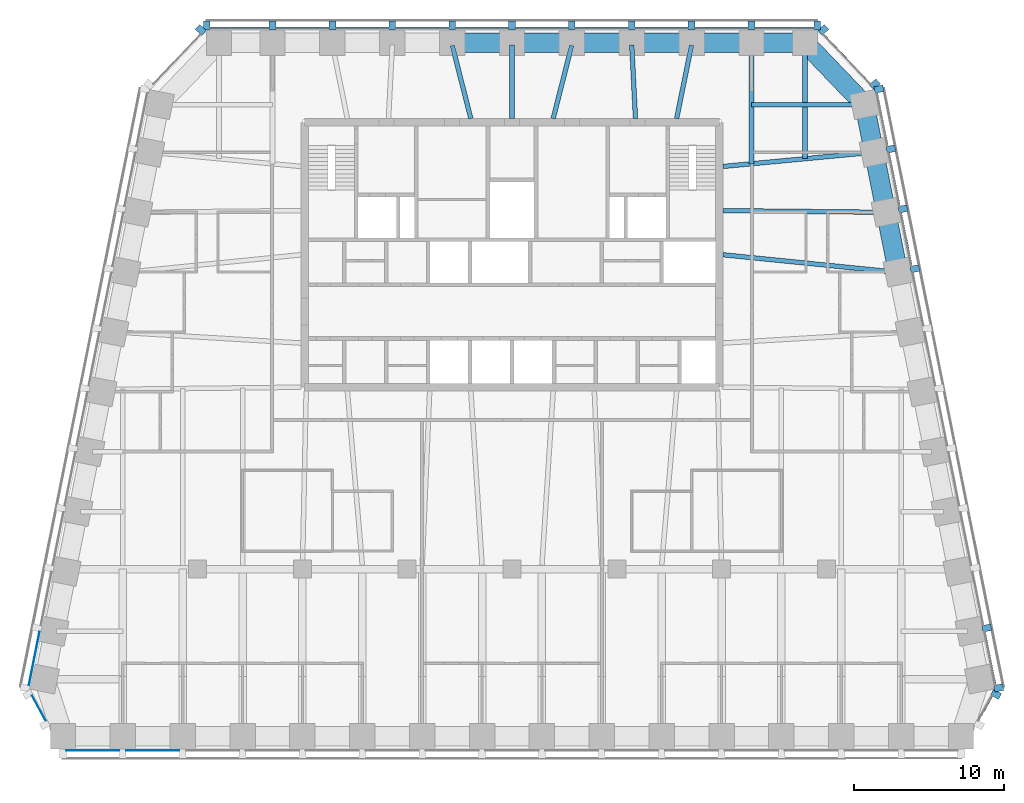
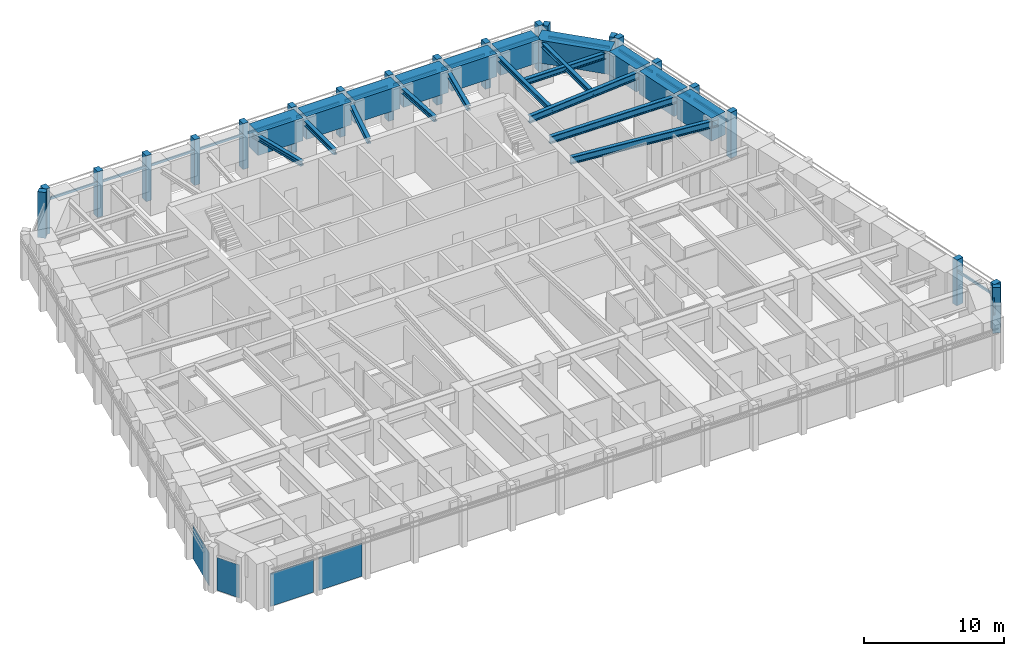
# One storey, part 4 of 12: 37 members, 21 beams, 4 plates, 8 elements without a shape of their own.
"""IFC4 building model written with IfcOpenShell, lengths in metres."""

import ifcopenshell
import ifcopenshell.guid

model = None  # the IFC model being written
_history = None  # IfcOwnerHistory: only IFC2X3 demands one
_inside = {}  # id of a spatial element -> (the spatial element, [elements in it])
_under = {}  # id of a project, library or spatial element -> (it, [spatial elements below it])
_declared = {}  # id of a project -> (the project, [libraries it declares])
_typed = {}  # id of a type object -> (the type object, [elements of that type])
_made_of = {}  # id of a material, layer set ... -> (it, [elements and type objects made of it])


def new_model(schema):
    """Start an empty IFC model of exactly this schema.

    Asked for "IFC4X3", IfcOpenShell would pick the latest addendum, in which some entities
    have other attributes; the version numbers below select the first issue.
    IFC2X3 requires an IfcOwnerHistory on every rooted entity: one is made here for all.
    """
    global model, _history
    if schema == "IFC4X3":
        model = ifcopenshell.file(schema_version=(4, 3, 0, 0))
    else:
        model = ifcopenshell.file(schema=schema)
    _inside.clear()
    _under.clear()
    _declared.clear()
    _typed.clear()
    _made_of.clear()
    _history = None
    if model.schema == "IFC2X3":
        org = make("IfcOrganization", Name="unknown")
        user = make(
            "IfcPersonAndOrganization",
            ThePerson=make("IfcPerson", FamilyName="unknown"),
            TheOrganization=org,
        )
        app = make(
            "IfcApplication",
            ApplicationDeveloper=org,
            Version="unknown",
            ApplicationFullName="unknown",
            ApplicationIdentifier="unknown",
        )
        _history = make(
            "IfcOwnerHistory",
            OwningUser=user,
            OwningApplication=app,
            ChangeAction="ADDED",
            CreationDate=0,
        )
    return model


def make(cls, **values):
    """One entity of the class cls with the attributes given. An attribute that is None is left unset."""
    return model.create_entity(
        cls, **{name: value for name, value in values.items() if value is not None}
    )


def rooted(cls, **values):
    """An entity with a GlobalId (a new one), such as an element, a storey or a relation."""
    return make(cls, GlobalId=ifcopenshell.guid.new(), OwnerHistory=_history, **values)


def si_unit(unit_type, name, prefix=None):
    """IfcSIUnit, for example si_unit("LENGTHUNIT", "METRE", prefix="MILLI")."""
    return make("IfcSIUnit", UnitType=unit_type, Prefix=prefix, Name=name)


def assignment(units):
    """IfcUnitAssignment: the units of a project."""
    return None if units is None else make("IfcUnitAssignment", Units=units)


def point(xyz):
    """IfcCartesianPoint."""
    return None if xyz is None else make("IfcCartesianPoint", Coordinates=xyz)


def direction(xyz):
    """IfcDirection."""
    return None if xyz is None else make("IfcDirection", DirectionRatios=xyz)


def frame(location, z_axis=None, x_axis=None):
    """IfcAxis2Placement3D, a coordinate frame: its origin and axes. An axis left out is left unset."""
    return make(
        "IfcAxis2Placement3D",
        Location=point(location),
        Axis=direction(z_axis),
        RefDirection=direction(x_axis),
    )


def frame_2d(location, x_axis=None):
    """IfcAxis2Placement2D, a coordinate frame in the plane: its origin and x axis."""
    return make(
        "IfcAxis2Placement2D", Location=point(location), RefDirection=direction(x_axis)
    )


def origin():
    """The frame at (0, 0, 0) with its axes left unset."""
    return frame((0.0, 0.0, 0.0))


def origin_2d():
    """The frame at (0, 0) in the plane with its x axis left unset."""
    return frame_2d((0.0, 0.0))


def place(relative_to, where):
    """IfcLocalPlacement: puts the frame where relative to a parent placement (None: the world)."""
    return make(
        "IfcLocalPlacement", PlacementRelTo=relative_to, RelativePlacement=where
    )


def context(
    kind, dimensions, precision=None, world=None, true_north=None, identifier=None
):
    """IfcGeometricRepresentationContext, for example the 3D "Model" context."""
    return make(
        "IfcGeometricRepresentationContext",
        ContextIdentifier=identifier,
        ContextType=kind,
        CoordinateSpaceDimension=dimensions,
        Precision=precision,
        WorldCoordinateSystem=world,
        TrueNorth=true_north,
    )


def subcontext(parent, identifier, kind, view, scale=None):
    """IfcGeometricRepresentationSubContext, for example "Body" below "Model"."""
    return make(
        "IfcGeometricRepresentationSubContext",
        ContextIdentifier=identifier,
        ContextType=kind,
        ParentContext=parent,
        TargetScale=scale,
        TargetView=view,
    )


def project(units=None, contexts=None):
    """IfcProject with its units and contexts."""
    return rooted(
        "IfcProject",
        Name="project",
        RepresentationContexts=contexts,
        UnitsInContext=assignment(units),
    )


def spatial(cls, under=None, at=None, **own):
    """A site, building, storey or space (cls), placed at a placement, below another one or the project."""
    s = rooted(cls, ObjectPlacement=at, **own)
    if under is not None:
        _under.setdefault(under.id(), (under, []))[1].append(s)
    return s


def profile(cls, at=None, kind="AREA", **sizes):
    """A parametric profile (cls). Its sizes go by their IFC names, for example OverallWidth=200.0."""
    return make(cls, ProfileType=kind, Position=at, **sizes)


def rectangle(**sizes):
    """IfcRectangleProfileDef."""
    return profile("IfcRectangleProfileDef", **sizes)


def i_section(**sizes):
    """IfcIShapeProfileDef."""
    return profile("IfcIShapeProfileDef", **sizes)


def extrude(swept, where, along, depth):
    """IfcExtrudedAreaSolid: the profile swept, set in the frame where, extruded along a direction by depth."""
    return make(
        "IfcExtrudedAreaSolid",
        SweptArea=swept,
        Position=where,
        ExtrudedDirection=direction(along),
        Depth=depth,
    )


def shape(context_of_items, identifier, shape_type, items):
    """IfcShapeRepresentation: the items that make up one representation, for example the "Body"."""
    return make(
        "IfcShapeRepresentation",
        ContextOfItems=context_of_items,
        RepresentationIdentifier=identifier,
        RepresentationType=shape_type,
        Items=items,
    )


def material(Name=None, Category=None):
    """IfcMaterial."""
    return make("IfcMaterial", Name=Name, Category=Category)


def layer(
    of_material, thickness, ventilated=None, Name=None, Category=None, Priority=None
):
    """IfcMaterialLayer: one layer of a wall or slab, of a material (None: an air gap)."""
    return make(
        "IfcMaterialLayer",
        Material=of_material,
        LayerThickness=thickness,
        IsVentilated=ventilated,
        Name=Name,
        Category=Category,
        Priority=Priority,
    )


def layer_set(layers, Name=None):
    """IfcMaterialLayerSet."""
    return make("IfcMaterialLayerSet", MaterialLayers=layers, LayerSetName=Name)


def material_profile(
    of_material, cross_section, Name=None, Category=None, Priority=None
):
    """IfcMaterialProfile: a cross section and its material."""
    return make(
        "IfcMaterialProfile",
        Name=Name,
        Material=of_material,
        Profile=cross_section,
        Priority=Priority,
        Category=Category,
    )


def profile_set(profiles, Name=None, composite=None):
    """IfcMaterialProfileSet."""
    return make(
        "IfcMaterialProfileSet",
        Name=Name,
        MaterialProfiles=profiles,
        CompositeProfile=composite,
    )


def made_of(thing, what):
    """Note that an element or type object is made of a material, layer set ...; save() writes the relation."""
    if what is not None:
        _made_of.setdefault(what.id(), (what, []))[1].append(thing)
    return thing


def type_object(cls, material=None, **own):
    """A type object (cls), such as IfcWallType, which elements share."""
    return made_of(rooted(cls, **own), material)


def element(
    cls,
    number,
    at=None,
    inside=None,
    cuts=None,
    type_object=None,
    material=None,
    context=None,
    identifier="Body",
    shape_type=None,
    held_by="IfcProductDefinitionShape",
    body=None,
    shapes=None,
    **own,
):
    """One element of the class cls, such as IfcWall. Its Tag is "e" and its number.

    at: its placement. inside: the storey or other place that contains it. cuts: it is an
    opening in that element (IfcRelVoidsElement). A single representation is given by context,
    identifier, shape_type and body (its items); several are given by shapes. held_by: the class
    of the entity that holds the representations. save() writes the other relations.
    """
    e = rooted(cls, Tag="e%d" % number, ObjectPlacement=at, **own)
    if body is not None:
        shapes = [shape(context, identifier, shape_type, body)]
    if shapes is not None:
        e.Representation = make(held_by, Representations=shapes)
    if inside is not None:
        _inside.setdefault(inside.id(), (inside, []))[1].append(e)
    if cuts is not None:
        rooted(
            "IfcRelVoidsElement", RelatingBuildingElement=cuts, RelatedOpeningElement=e
        )
    if type_object is not None:
        _typed.setdefault(type_object.id(), (type_object, []))[1].append(e)
    return made_of(e, material)


def aggregate(whole, parts):
    """IfcRelAggregates: a whole, such as a stair, and the parts it consists of."""
    return rooted("IfcRelAggregates", RelatingObject=whole, RelatedObjects=parts)


def save(model, path):
    """Write the relations noted so far, then the file.

    IfcRelAggregates (storeys below a building ...), IfcRelContainedInSpatialStructure (elements
    in a storey), IfcRelDefinesByType, IfcRelAssociatesMaterial and IfcRelDeclares: one each for
    every whole, place, type object, material and project.
    """
    for whole, parts in _under.values():
        aggregate(whole, parts)
    for where, things in _inside.values():
        rooted(
            "IfcRelContainedInSpatialStructure",
            RelatedElements=things,
            RelatingStructure=where,
        )
    for kind, things in _typed.values():
        rooted("IfcRelDefinesByType", RelatedObjects=things, RelatingType=kind)
    for what, things in _made_of.values():
        rooted("IfcRelAssociatesMaterial", RelatedObjects=things, RelatingMaterial=what)
    for by, libraries in _declared.values():
        rooted("IfcRelDeclares", RelatingContext=by, RelatedDefinitions=libraries)
    model.write(path)


model = new_model("IFC4")

# Units and contexts
model_context = context("Model", 3, precision=1e-05, world=origin(), true_north=direction((0.0, 1.0)))
body_context = subcontext(model_context, "Body", "Model", "MODEL_VIEW")
ifc_project = project(units=[si_unit("LENGTHUNIT", "METRE"), si_unit("AREAUNIT", "SQUARE_METRE"), si_unit("VOLUMEUNIT", "CUBIC_METRE"), si_unit("PLANEANGLEUNIT", "RADIAN"), si_unit("MASSUNIT", "GRAM", prefix="KILO")], contexts=[model_context])

# Site, building, storey
site_placement = place(None, origin())
site = spatial("IfcSite", under=ifc_project, at=site_placement, CompositionType="ELEMENT")
building_placement = place(site_placement, origin())
building = spatial("IfcBuilding", under=site, at=building_placement, Name="Isbrekke Arena Tower", CompositionType="ELEMENT")
storey_placement = place(building_placement, frame((0.0, 0.0, 256.0)))
storey = spatial("IfcBuildingStorey", under=building, at=storey_placement, Name="L59", CompositionType="ELEMENT", Elevation=256.0)

# Beams
ifc_material_1 = material(Name="Steel S355", Category="steel")
ifc_material_profile_1 = material_profile(ifc_material_1, i_section(OverallWidth=0.304931640625, OverallDepth=0.6201171875, WebThickness=0.02099609375, FlangeThickness=0.0400390625, FilletRadius=0.027099609375, at=origin_2d()), Name="HEM 600")
ifc_profile_set_1 = profile_set([ifc_material_profile_1], Name="Steel S355")
beam_type_1 = type_object("IfcBeamType", Name="B4 HEM 600", PredefinedType="BEAM", material=ifc_profile_set_1)
beam_1_placement = place(storey_placement, frame((25.625732421875, 13.83984375, 3.5400390625), z_axis=(-0.994972081505, 0.100152668587, 0.0), x_axis=(-0.100152668587, -0.994972081505, 0.0)))
element("IfcBeam", 1, at=beam_1_placement, inside=storey, type_object=beam_type_1, Name="B4 beam E-E08 L59", PredefinedType="BEAM", context=body_context, shape_type="SweptSolid", body=[
    extrude(i_section(OverallWidth=0.304931640625, OverallDepth=0.6201171875, WebThickness=0.02099609375, FlangeThickness=0.0400390625, FilletRadius=0.027099609375, at=origin_2d()), origin(), (0.0, 0.0, 1.0), 11.583984375),
])
beam_2_placement = place(storey_placement, frame((24.83935546875, 17.838134765625, 3.5400390625), z_axis=(-0.999945800258, 0.010411366203, 0.0), x_axis=(-0.010411366203, -0.999945800258, 0.0)))
element("IfcBeam", 2, at=beam_2_placement, inside=storey, type_object=beam_type_1, Name="B4 beam E-E09 L59", PredefinedType="BEAM", context=body_context, shape_type="SweptSolid", body=[
    extrude(i_section(OverallWidth=0.304931640625, OverallDepth=0.6201171875, WebThickness=0.02099609375, FlangeThickness=0.0400390625, FilletRadius=0.027099609375, at=origin_2d()), origin(), (0.0, 0.0, 1.0), 10.73974609375),
])
beam_3_placement = place(storey_placement, frame((24.02685546875, 21.8369140625, 3.5400390625), z_axis=(-0.995574576627, -0.093974796485, 0.0), x_axis=(0.093974796485, -0.995574576627, 0.0)))
element("IfcBeam", 3, at=beam_3_placement, inside=storey, type_object=beam_type_1, Name="B4 beam E-E10 L59", PredefinedType="BEAM", context=body_context, shape_type="SweptSolid", body=[
    extrude(i_section(OverallWidth=0.304931640625, OverallDepth=0.6201171875, WebThickness=0.02099609375, FlangeThickness=0.0400390625, FilletRadius=0.027099609375, at=origin_2d()), origin(), (0.0, 0.0, 1.0), 9.970947265625),
])
ifc_material_2 = material(Name="Steel S355", Category="steel")
ifc_material_profile_2 = material_profile(ifc_material_2, i_section(OverallWidth=0.305908203125, OverallDepth=0.52392578125, WebThickness=0.02099609375, FlangeThickness=0.0400390625, FilletRadius=0.027099609375, at=origin_2d()), Name="HEM 500")
ifc_profile_set_2 = profile_set([ifc_material_profile_2], Name="Steel S355")
beam_type_2 = type_object("IfcBeamType", Name="B5 HEM 500", PredefinedType="BEAM", material=ifc_profile_set_2)
beam_4_placement = place(storey_placement, frame((23.40283203125, 25.029296875, 3.587890625), z_axis=(-1.0, 0.0, 0.0), x_axis=(0.0, -1.0, 0.0)))
element("IfcBeam", 4, at=beam_4_placement, inside=storey, type_object=beam_type_2, Name="B5 beam E-E11 L59", PredefinedType="BEAM", context=body_context, shape_type="SweptSolid", body=[
    extrude(i_section(OverallWidth=0.305908203125, OverallDepth=0.52392578125, WebThickness=0.02099609375, FlangeThickness=0.0400390625, FilletRadius=0.027099609375, at=origin_2d()), origin(), (0.0, 0.0, 1.0), 7.40283203125),
])
ifc_material_3 = material(Name="Steel S355", Category="steel")
ifc_material_profile_3 = material_profile(ifc_material_3, i_section(OverallWidth=0.306884765625, OverallDepth=0.431884765625, WebThickness=0.02099609375, FlangeThickness=0.0400390625, FilletRadius=0.027099609375, at=origin_2d()), Name="HEM 400")
ifc_profile_set_3 = profile_set([ifc_material_profile_3], Name="Steel S355")
beam_type_3 = type_object("IfcBeamType", Name="B6 HEM 400", PredefinedType="BEAM", material=ifc_profile_set_3)
beam_5_placement = place(storey_placement, frame((19.574951171875, 29.02490234375, 3.634033203125), z_axis=(0.0, -1.0, 0.0), x_axis=(1.0, 0.0, 0.0)))
element("IfcBeam", 5, at=beam_5_placement, inside=storey, type_object=beam_type_3, Name="B6 beam N-N01 L59", PredefinedType="BEAM", context=body_context, shape_type="SweptSolid", body=[
    extrude(i_section(OverallWidth=0.306884765625, OverallDepth=0.431884765625, WebThickness=0.02099609375, FlangeThickness=0.0400390625, FilletRadius=0.027099609375, at=origin_2d()), origin(), (0.0, 0.0, 1.0), 7.608154296875),
])
beam_6_placement = place(storey_placement, frame((16.0, 29.02490234375, 3.634033203125), z_axis=(0.0, -1.0, 0.0), x_axis=(1.0, 0.0, 0.0)))
element("IfcBeam", 6, at=beam_6_placement, inside=storey, type_object=beam_type_3, Name="B6 beam N-N02 L59", PredefinedType="BEAM", context=body_context, shape_type="SweptSolid", body=[
    extrude(i_section(OverallWidth=0.306884765625, OverallDepth=0.431884765625, WebThickness=0.02099609375, FlangeThickness=0.0400390625, FilletRadius=0.027099609375, at=origin_2d()), origin(), (0.0, 0.0, 1.0), 7.945556640625),
])
beam_7_placement = place(storey_placement, frame((11.993896484375, 28.9951171875, 3.634033203125), z_axis=(-0.198982177337, -0.980003108721, 0.0), x_axis=(0.980003108721, -0.198982177337, 0.0)))
element("IfcBeam", 7, at=beam_7_placement, inside=storey, type_object=beam_type_3, Name="B6 beam N-N03 L59", PredefinedType="BEAM", context=body_context, shape_type="SweptSolid", body=[
    extrude(i_section(OverallWidth=0.306884765625, OverallDepth=0.431884765625, WebThickness=0.02099609375, FlangeThickness=0.0400390625, FilletRadius=0.027099609375, at=origin_2d()), origin(), (0.0, 0.0, 1.0), 4.994873046875),
])
beam_8_placement = place(storey_placement, frame((8.00048828125, 29.017333984375, 3.634033203125), z_axis=(0.050677067868, -0.998715091902, 0.0), x_axis=(0.998715091902, 0.050677067868, 0.0)))
element("IfcBeam", 8, at=beam_8_placement, inside=storey, type_object=beam_type_3, Name="B6 beam N-N04 L59", PredefinedType="BEAM", context=body_context, shape_type="SweptSolid", body=[
    extrude(i_section(OverallWidth=0.306884765625, OverallDepth=0.431884765625, WebThickness=0.02099609375, FlangeThickness=0.0400390625, FilletRadius=0.027099609375, at=origin_2d()), origin(), (0.0, 0.0, 1.0), 4.923583984375),
])
beam_9_placement = place(storey_placement, frame((3.99072265625, 28.98828125, 3.634033203125), z_axis=(-0.246019579109, -0.969264858898, 0.0), x_axis=(0.969264858898, -0.246019579109, 0.0)))
element("IfcBeam", 9, at=beam_9_placement, inside=storey, type_object=beam_type_3, Name="B6 beam N-N05 L59", PredefinedType="BEAM", context=body_context, shape_type="SweptSolid", body=[
    extrude(i_section(OverallWidth=0.306884765625, OverallDepth=0.431884765625, WebThickness=0.02099609375, FlangeThickness=0.0400390625, FilletRadius=0.027099609375, at=origin_2d()), origin(), (0.0, 0.0, 1.0), 5.043212890625),
])
beam_10_placement = place(storey_placement, frame((0.0, 29.02490234375, 3.634033203125), z_axis=(0.0, -1.0, 0.0), x_axis=(1.0, 0.0, 0.0)))
element("IfcBeam", 10, at=beam_10_placement, inside=storey, type_object=beam_type_3, Name="B6 beam N-N06 L59", PredefinedType="BEAM", context=body_context, shape_type="SweptSolid", body=[
    extrude(i_section(OverallWidth=0.306884765625, OverallDepth=0.431884765625, WebThickness=0.02099609375, FlangeThickness=0.0400390625, FilletRadius=0.027099609375, at=origin_2d()), origin(), (0.0, 0.0, 1.0), 4.9248046875),
])
beam_11_placement = place(storey_placement, frame((-3.99072265625, 28.98828125, 3.634033203125), z_axis=(0.246019579109, -0.969264858898, 0.0), x_axis=(0.969264858898, 0.246019579109, 0.0)))
element("IfcBeam", 11, at=beam_11_placement, inside=storey, type_object=beam_type_3, Name="B6 beam N-N07 L59", PredefinedType="BEAM", context=body_context, shape_type="SweptSolid", body=[
    extrude(i_section(OverallWidth=0.306884765625, OverallDepth=0.431884765625, WebThickness=0.02099609375, FlangeThickness=0.0400390625, FilletRadius=0.027099609375, at=origin_2d()), origin(), (0.0, 0.0, 1.0), 5.043212890625),
])

# Curtain wall, member
ifc_material_4 = material(Name="Glazed aluminium curtain wall", Category="aluminium")
curtain_wall_type = type_object("IfcCurtainWallType", Name="CWT TOWER CURTAIN WALL TOP ZONE", PredefinedType="USERDEFINED", material=ifc_material_4)
curtain_wall_1_placement = place(storey_placement, origin())
curtain_wall_1 = element("IfcCurtainWall", 12, at=curtain_wall_1_placement, inside=storey, type_object=curtain_wall_type, Name="CWT curtain wall L59-SE", ObjectType="TOWER CURTAIN WALL TOP ZONE", PredefinedType="USERDEFINED")
ifc_material_5 = material(Name="Copper-clad aluminium mullion", Category="aluminium")
ifc_material_profile_4 = material_profile(ifc_material_5, rectangle(XDim=0.449951171875, YDim=0.60009765625, at=origin_2d()), Name="PIER 450X600")
ifc_profile_set_4 = profile_set([ifc_material_profile_4], Name="Copper-clad aluminium mullion")
member_type_1 = type_object("IfcMemberType", Name="CWT-M PIER MULLION 450 x 600", PredefinedType="MULLION", material=ifc_profile_set_4)
member_1_placement = place(storey_placement, frame((32.340087890625, -14.367919921875, 0.0), z_axis=(0.0, 0.0, 1.0), x_axis=(0.481918749773, 0.876215908676, 0.0)))
member_1 = element("IfcMember", 13, at=member_1_placement, type_object=member_type_1, Name="CWT-M mullion 2", PredefinedType="MULLION", context=body_context, shape_type="SweptSolid", body=[
    extrude(rectangle(XDim=0.449951171875, YDim=0.60009765625, at=origin_2d()), origin(), (0.0, 0.0, 1.0), 4.0),
])

# Curtain wall, members
curtain_wall_2_placement = place(storey_placement, origin())
curtain_wall_2 = element("IfcCurtainWall", 14, at=curtain_wall_2_placement, inside=storey, type_object=curtain_wall_type, Name="CWT curtain wall L59-E", ObjectType="TOWER CURTAIN WALL TOP ZONE", PredefinedType="USERDEFINED")
member_2_placement = place(storey_placement, frame((32.518798828125, -13.936279296875, 0.0), z_axis=(0.0, 0.0, 1.0), x_axis=(-0.196116135138, 0.980580675691, 0.0)))
member_2 = element("IfcMember", 15, at=member_2_placement, type_object=member_type_1, Name="CWT-M mullion 1", PredefinedType="MULLION", context=body_context, shape_type="SweptSolid", body=[
    extrude(rectangle(XDim=0.449951171875, YDim=0.60009765625, at=origin_2d()), origin(), (0.0, 0.0, 1.0), 4.0),
])
member_3_placement = place(storey_placement, frame((31.71875, -9.936279296875, 0.0), z_axis=(0.0, 0.0, 1.0), x_axis=(-0.196116135138, 0.980580675691, 0.0)))
member_3 = element("IfcMember", 16, at=member_3_placement, type_object=member_type_1, Name="CWT-M mullion 2", PredefinedType="MULLION", context=body_context, shape_type="SweptSolid", body=[
    extrude(rectangle(XDim=0.449951171875, YDim=0.60009765625, at=origin_2d()), origin(), (0.0, 0.0, 1.0), 4.0),
])
member_4_placement = place(storey_placement, frame((26.918701171875, 14.063720703125, 0.0), z_axis=(0.0, 0.0, 1.0), x_axis=(-0.196116135138, 0.980580675691, 0.0)))
member_4 = element("IfcMember", 17, at=member_4_placement, type_object=member_type_1, Name="CWT-M mullion 8", PredefinedType="MULLION", context=body_context, shape_type="SweptSolid", body=[
    extrude(rectangle(XDim=0.449951171875, YDim=0.60009765625, at=origin_2d()), origin(), (0.0, 0.0, 1.0), 4.0),
])
member_5_placement = place(storey_placement, frame((26.11865234375, 18.063720703125, 0.0), z_axis=(0.0, 0.0, 1.0), x_axis=(-0.196116135138, 0.980580675691, 0.0)))
member_5 = element("IfcMember", 18, at=member_5_placement, type_object=member_type_1, Name="CWT-M mullion 9", PredefinedType="MULLION", context=body_context, shape_type="SweptSolid", body=[
    extrude(rectangle(XDim=0.449951171875, YDim=0.60009765625, at=origin_2d()), origin(), (0.0, 0.0, 1.0), 4.0),
])
member_6_placement = place(storey_placement, frame((25.318603515625, 22.063720703125, 0.0), z_axis=(0.0, 0.0, 1.0), x_axis=(-0.196116135138, 0.980580675691, 0.0)))
member_6 = element("IfcMember", 19, at=member_6_placement, type_object=member_type_1, Name="CWT-M mullion 10", PredefinedType="MULLION", context=body_context, shape_type="SweptSolid", body=[
    extrude(rectangle(XDim=0.449951171875, YDim=0.60009765625, at=origin_2d()), origin(), (0.0, 0.0, 1.0), 4.0),
])
member_7_placement = place(storey_placement, frame((24.518798828125, 26.063720703125, 0.0), z_axis=(0.0, 0.0, 1.0), x_axis=(-0.196116135138, 0.980580675691, 0.0)))
member_7 = element("IfcMember", 20, at=member_7_placement, type_object=member_type_1, Name="CWT-M mullion 11", PredefinedType="MULLION", context=body_context, shape_type="SweptSolid", body=[
    extrude(rectangle(XDim=0.449951171875, YDim=0.60009765625, at=origin_2d()), origin(), (0.0, 0.0, 1.0), 4.0),
])

curtain_wall_3_placement = place(storey_placement, origin())
curtain_wall_3 = element("IfcCurtainWall", 21, at=curtain_wall_3_placement, inside=storey, type_object=curtain_wall_type, Name="CWT curtain wall L59-EN", ObjectType="TOWER CURTAIN WALL TOP ZONE", PredefinedType="USERDEFINED")
member_8_placement = place(storey_placement, frame((24.244384765625, 26.388671875, 0.0), z_axis=(0.0, 0.0, 1.0), x_axis=(-0.68874946192, 0.72499943359, 0.0)))
member_8 = element("IfcMember", 22, at=member_8_placement, type_object=member_type_1, Name="CWT-M mullion 1", PredefinedType="MULLION", context=body_context, shape_type="SweptSolid", body=[
    extrude(rectangle(XDim=0.449951171875, YDim=0.60009765625, at=origin_2d()), origin(), (0.0, 0.0, 1.0), 4.0),
])
member_9_placement = place(storey_placement, frame((20.795166015625, 30.019775390625, 0.0), z_axis=(0.0, 0.0, 1.0), x_axis=(-0.68874946192, 0.72499943359, 0.0)))
member_9 = element("IfcMember", 23, at=member_9_placement, type_object=member_type_1, Name="CWT-M mullion 2", PredefinedType="MULLION", context=body_context, shape_type="SweptSolid", body=[
    extrude(rectangle(XDim=0.449951171875, YDim=0.60009765625, at=origin_2d()), origin(), (0.0, 0.0, 1.0), 4.0),
])

curtain_wall_4_placement = place(storey_placement, origin())
curtain_wall_4 = element("IfcCurtainWall", 24, at=curtain_wall_4_placement, inside=storey, type_object=curtain_wall_type, Name="CWT curtain wall L59-N", ObjectType="TOWER CURTAIN WALL TOP ZONE", PredefinedType="USERDEFINED")
member_10_placement = place(storey_placement, frame((20.39990234375, 30.324951171875, 0.0), z_axis=(0.0, 0.0, 1.0), x_axis=(-1.0, 0.0, 0.0)))
member_10 = element("IfcMember", 25, at=member_10_placement, type_object=member_type_1, Name="CWT-M mullion 1", PredefinedType="MULLION", context=body_context, shape_type="SweptSolid", body=[
    extrude(rectangle(XDim=0.449951171875, YDim=0.60009765625, at=origin_2d()), origin(), (0.0, 0.0, 1.0), 4.0),
])
member_11_placement = place(storey_placement, frame((16.0, 30.324951171875, 0.0), z_axis=(0.0, 0.0, 1.0), x_axis=(-1.0, 0.0, 0.0)))
member_11 = element("IfcMember", 26, at=member_11_placement, type_object=member_type_1, Name="CWT-M mullion 2", PredefinedType="MULLION", context=body_context, shape_type="SweptSolid", body=[
    extrude(rectangle(XDim=0.449951171875, YDim=0.60009765625, at=origin_2d()), origin(), (0.0, 0.0, 1.0), 4.0),
])
member_12_placement = place(storey_placement, frame((12.0, 30.324951171875, 0.0), z_axis=(0.0, 0.0, 1.0), x_axis=(-1.0, 0.0, 0.0)))
member_12 = element("IfcMember", 27, at=member_12_placement, type_object=member_type_1, Name="CWT-M mullion 3", PredefinedType="MULLION", context=body_context, shape_type="SweptSolid", body=[
    extrude(rectangle(XDim=0.449951171875, YDim=0.60009765625, at=origin_2d()), origin(), (0.0, 0.0, 1.0), 4.0),
])
member_13_placement = place(storey_placement, frame((8.0, 30.324951171875, 0.0), z_axis=(0.0, 0.0, 1.0), x_axis=(-1.0, 0.0, 0.0)))
member_13 = element("IfcMember", 28, at=member_13_placement, type_object=member_type_1, Name="CWT-M mullion 4", PredefinedType="MULLION", context=body_context, shape_type="SweptSolid", body=[
    extrude(rectangle(XDim=0.449951171875, YDim=0.60009765625, at=origin_2d()), origin(), (0.0, 0.0, 1.0), 4.0),
])
member_14_placement = place(storey_placement, frame((4.0, 30.324951171875, 0.0), z_axis=(0.0, 0.0, 1.0), x_axis=(-1.0, 0.0, 0.0)))
member_14 = element("IfcMember", 29, at=member_14_placement, type_object=member_type_1, Name="CWT-M mullion 5", PredefinedType="MULLION", context=body_context, shape_type="SweptSolid", body=[
    extrude(rectangle(XDim=0.449951171875, YDim=0.60009765625, at=origin_2d()), origin(), (0.0, 0.0, 1.0), 4.0),
])
member_15_placement = place(storey_placement, frame((0.0, 30.324951171875, 0.0), z_axis=(0.0, 0.0, 1.0), x_axis=(-1.0, 0.0, 0.0)))
member_15 = element("IfcMember", 30, at=member_15_placement, type_object=member_type_1, Name="CWT-M mullion 6", PredefinedType="MULLION", context=body_context, shape_type="SweptSolid", body=[
    extrude(rectangle(XDim=0.449951171875, YDim=0.60009765625, at=origin_2d()), origin(), (0.0, 0.0, 1.0), 4.0),
])
member_16_placement = place(storey_placement, frame((-4.0, 30.324951171875, 0.0), z_axis=(0.0, 0.0, 1.0), x_axis=(-1.0, 0.0, 0.0)))
member_16 = element("IfcMember", 31, at=member_16_placement, type_object=member_type_1, Name="CWT-M mullion 7", PredefinedType="MULLION", context=body_context, shape_type="SweptSolid", body=[
    extrude(rectangle(XDim=0.449951171875, YDim=0.60009765625, at=origin_2d()), origin(), (0.0, 0.0, 1.0), 4.0),
])
member_17_placement = place(storey_placement, frame((-8.0, 30.324951171875, 0.0), z_axis=(0.0, 0.0, 1.0), x_axis=(-1.0, 0.0, 0.0)))
member_17 = element("IfcMember", 32, at=member_17_placement, type_object=member_type_1, Name="CWT-M mullion 8", PredefinedType="MULLION", context=body_context, shape_type="SweptSolid", body=[
    extrude(rectangle(XDim=0.449951171875, YDim=0.60009765625, at=origin_2d()), origin(), (0.0, 0.0, 1.0), 4.0),
])
member_18_placement = place(storey_placement, frame((-12.0, 30.324951171875, 0.0), z_axis=(0.0, 0.0, 1.0), x_axis=(-1.0, 0.0, 0.0)))
member_18 = element("IfcMember", 33, at=member_18_placement, type_object=member_type_1, Name="CWT-M mullion 9", PredefinedType="MULLION", context=body_context, shape_type="SweptSolid", body=[
    extrude(rectangle(XDim=0.449951171875, YDim=0.60009765625, at=origin_2d()), origin(), (0.0, 0.0, 1.0), 4.0),
])
member_19_placement = place(storey_placement, frame((-16.0, 30.324951171875, 0.0), z_axis=(0.0, 0.0, 1.0), x_axis=(-1.0, 0.0, 0.0)))
member_19 = element("IfcMember", 34, at=member_19_placement, type_object=member_type_1, Name="CWT-M mullion 10", PredefinedType="MULLION", context=body_context, shape_type="SweptSolid", body=[
    extrude(rectangle(XDim=0.449951171875, YDim=0.60009765625, at=origin_2d()), origin(), (0.0, 0.0, 1.0), 4.0),
])
member_20_placement = place(storey_placement, frame((-20.39990234375, 30.324951171875, 0.0), z_axis=(0.0, 0.0, 1.0), x_axis=(-1.0, 0.0, 0.0)))
member_20 = element("IfcMember", 35, at=member_20_placement, type_object=member_type_1, Name="CWT-M mullion 11", PredefinedType="MULLION", context=body_context, shape_type="SweptSolid", body=[
    extrude(rectangle(XDim=0.449951171875, YDim=0.60009765625, at=origin_2d()), origin(), (0.0, 0.0, 1.0), 4.0),
])

# Curtain wall, member
curtain_wall_5_placement = place(storey_placement, origin())
curtain_wall_5 = element("IfcCurtainWall", 36, at=curtain_wall_5_placement, inside=storey, type_object=curtain_wall_type, Name="CWT curtain wall L59-NW", ObjectType="TOWER CURTAIN WALL TOP ZONE", PredefinedType="USERDEFINED")
member_21_placement = place(storey_placement, frame((-20.795166015625, 30.01953125, 0.0), z_axis=(0.0, 0.0, 1.0), x_axis=(-0.68874946192, -0.72499943359, 0.0)))
member_21 = element("IfcMember", 37, at=member_21_placement, type_object=member_type_1, Name="CWT-M mullion 1", PredefinedType="MULLION", context=body_context, shape_type="SweptSolid", body=[
    extrude(rectangle(XDim=0.449951171875, YDim=0.60009765625, at=origin_2d()), origin(), (0.0, 0.0, 1.0), 4.0),
])
aggregate(curtain_wall_5, [member_21])

# Member
ifc_material_6 = material(Name="Aluminium transom", Category="aluminium")
ifc_material_profile_5 = material_profile(ifc_material_6, rectangle(XDim=0.1201171875, YDim=0.199951171875, at=origin_2d()), Name="TRANSOM 120X200")
ifc_profile_set_5 = profile_set([ifc_material_profile_5], Name="Aluminium transom")
member_type_2 = type_object("IfcMemberType", Name="CWT-T TRANSOM 120 x 200", PredefinedType="USERDEFINED", material=ifc_profile_set_5)
member_22_placement = place(storey_placement, frame((31.152099609375, -16.112548828125, 3.0), z_axis=(0.482003669577, 0.876169197424, 0.0), x_axis=(-0.876169197424, 0.482003669577, 0.0)))
member_22 = element("IfcMember", 38, at=member_22_placement, type_object=member_type_2, Name="CWT-T transom 1", ObjectType="TRANSOM", PredefinedType="USERDEFINED", context=body_context, shape_type="SweptSolid", body=[
    extrude(rectangle(XDim=0.1201171875, YDim=0.199951171875, at=origin_2d()), origin(), (0.0, 0.0, 1.0), 1.876220703125),
])

aggregate(curtain_wall_1, [member_1, member_22])

member_23_placement = place(storey_placement, frame((32.278564453125, -13.7548828125, 3.0), z_axis=(-0.196154943734, 0.980572913173, 0.0), x_axis=(-0.980572913173, -0.196154943734, 0.0)))
member_23 = element("IfcMember", 39, at=member_23_placement, type_object=member_type_2, Name="CWT-T transom 1", ObjectType="TRANSOM", PredefinedType="USERDEFINED", context=body_context, shape_type="SweptSolid", body=[
    extrude(rectangle(XDim=0.1201171875, YDim=0.199951171875, at=origin_2d()), origin(), (0.0, 0.0, 1.0), 3.62939453125),
])

member_24_placement = place(storey_placement, frame((26.678466796875, 14.2451171875, 3.0), z_axis=(-0.196090262229, 0.980585849918, 0.0), x_axis=(-0.980585849918, -0.196090262229, 0.0)))
member_24 = element("IfcMember", 40, at=member_24_placement, type_object=member_type_2, Name="CWT-T transom 8", ObjectType="TRANSOM", PredefinedType="USERDEFINED", context=body_context, shape_type="SweptSolid", body=[
    extrude(rectangle(XDim=0.1201171875, YDim=0.199951171875, at=origin_2d()), origin(), (0.0, 0.0, 1.0), 3.62939453125),
])

member_25_placement = place(storey_placement, frame((25.87841796875, 18.2451171875, 3.0), z_axis=(-0.196090262229, 0.980585849918, 0.0), x_axis=(-0.980585849918, -0.196090262229, 0.0)))
member_25 = element("IfcMember", 41, at=member_25_placement, type_object=member_type_2, Name="CWT-T transom 9", ObjectType="TRANSOM", PredefinedType="USERDEFINED", context=body_context, shape_type="SweptSolid", body=[
    extrude(rectangle(XDim=0.1201171875, YDim=0.199951171875, at=origin_2d()), origin(), (0.0, 0.0, 1.0), 3.62939453125),
])

member_26_placement = place(storey_placement, frame((25.078369140625, 22.2451171875, 3.0), z_axis=(-0.196090262229, 0.980585849918, 0.0), x_axis=(-0.980585849918, -0.196090262229, 0.0)))
member_26 = element("IfcMember", 42, at=member_26_placement, type_object=member_type_2, Name="CWT-T transom 10", ObjectType="TRANSOM", PredefinedType="USERDEFINED", context=body_context, shape_type="SweptSolid", body=[
    extrude(rectangle(XDim=0.1201171875, YDim=0.199951171875, at=origin_2d()), origin(), (0.0, 0.0, 1.0), 3.62939453125),
])

aggregate(curtain_wall_2, [member_2, member_3, member_4, member_5, member_6, member_7, member_23, member_24, member_25, member_26])

member_27_placement = place(storey_placement, frame((23.944580078125, 26.4140625, 3.0), z_axis=(-0.688771983213, 0.724978037696, 0.0), x_axis=(-0.724978037696, -0.688771983213, 0.0)))
member_27 = element("IfcMember", 43, at=member_27_placement, type_object=member_type_2, Name="CWT-T transom 1", ObjectType="TRANSOM", PredefinedType="USERDEFINED", context=body_context, shape_type="SweptSolid", body=[
    extrude(rectangle(XDim=0.1201171875, YDim=0.199951171875, at=origin_2d()), origin(), (0.0, 0.0, 1.0), 4.558349609375),
])

aggregate(curtain_wall_3, [member_8, member_9, member_27])

member_28_placement = place(storey_placement, frame((20.175048828125, 30.125, 3.0), z_axis=(-1.0, 0.0, 0.0), x_axis=(0.0, -1.0, 0.0)))
member_28 = element("IfcMember", 44, at=member_28_placement, type_object=member_type_2, Name="CWT-T transom 1", ObjectType="TRANSOM", PredefinedType="USERDEFINED", context=body_context, shape_type="SweptSolid", body=[
    extrude(rectangle(XDim=0.1201171875, YDim=0.199951171875, at=origin_2d()), origin(), (0.0, 0.0, 1.0), 3.949951171875),
])

member_29_placement = place(storey_placement, frame((15.77490234375, 30.125, 3.0), z_axis=(-1.0, 0.0, 0.0), x_axis=(0.0, -1.0, 0.0)))
member_29 = element("IfcMember", 45, at=member_29_placement, type_object=member_type_2, Name="CWT-T transom 2", ObjectType="TRANSOM", PredefinedType="USERDEFINED", context=body_context, shape_type="SweptSolid", body=[
    extrude(rectangle(XDim=0.1201171875, YDim=0.199951171875, at=origin_2d()), origin(), (0.0, 0.0, 1.0), 3.5498046875),
])

member_30_placement = place(storey_placement, frame((11.77490234375, 30.125, 3.0), z_axis=(-1.0, 0.0, 0.0), x_axis=(0.0, -1.0, 0.0)))
member_30 = element("IfcMember", 46, at=member_30_placement, type_object=member_type_2, Name="CWT-T transom 3", ObjectType="TRANSOM", PredefinedType="USERDEFINED", context=body_context, shape_type="SweptSolid", body=[
    extrude(rectangle(XDim=0.1201171875, YDim=0.199951171875, at=origin_2d()), origin(), (0.0, 0.0, 1.0), 3.5498046875),
])

member_31_placement = place(storey_placement, frame((7.77490234375, 30.125, 3.0), z_axis=(-1.0, 0.0, 0.0), x_axis=(0.0, -1.0, 0.0)))
member_31 = element("IfcMember", 47, at=member_31_placement, type_object=member_type_2, Name="CWT-T transom 4", ObjectType="TRANSOM", PredefinedType="USERDEFINED", context=body_context, shape_type="SweptSolid", body=[
    extrude(rectangle(XDim=0.1201171875, YDim=0.199951171875, at=origin_2d()), origin(), (0.0, 0.0, 1.0), 3.5498046875),
])

member_32_placement = place(storey_placement, frame((3.77490234375, 30.125, 3.0), z_axis=(-1.0, 0.0, 0.0), x_axis=(0.0, -1.0, 0.0)))
member_32 = element("IfcMember", 48, at=member_32_placement, type_object=member_type_2, Name="CWT-T transom 5", ObjectType="TRANSOM", PredefinedType="USERDEFINED", context=body_context, shape_type="SweptSolid", body=[
    extrude(rectangle(XDim=0.1201171875, YDim=0.199951171875, at=origin_2d()), origin(), (0.0, 0.0, 1.0), 3.5498046875),
])

member_33_placement = place(storey_placement, frame((-0.22509765625, 30.125, 3.0), z_axis=(-1.0, 0.0, 0.0), x_axis=(0.0, -1.0, 0.0)))
member_33 = element("IfcMember", 49, at=member_33_placement, type_object=member_type_2, Name="CWT-T transom 6", ObjectType="TRANSOM", PredefinedType="USERDEFINED", context=body_context, shape_type="SweptSolid", body=[
    extrude(rectangle(XDim=0.1201171875, YDim=0.199951171875, at=origin_2d()), origin(), (0.0, 0.0, 1.0), 3.5498046875),
])

member_34_placement = place(storey_placement, frame((-4.22509765625, 30.125, 3.0), z_axis=(-1.0, 0.0, 0.0), x_axis=(0.0, -1.0, 0.0)))
member_34 = element("IfcMember", 50, at=member_34_placement, type_object=member_type_2, Name="CWT-T transom 7", ObjectType="TRANSOM", PredefinedType="USERDEFINED", context=body_context, shape_type="SweptSolid", body=[
    extrude(rectangle(XDim=0.1201171875, YDim=0.199951171875, at=origin_2d()), origin(), (0.0, 0.0, 1.0), 3.5498046875),
])

member_35_placement = place(storey_placement, frame((-8.22509765625, 30.125, 3.0), z_axis=(-1.0, 0.0, 0.0), x_axis=(0.0, -1.0, 0.0)))
member_35 = element("IfcMember", 51, at=member_35_placement, type_object=member_type_2, Name="CWT-T transom 8", ObjectType="TRANSOM", PredefinedType="USERDEFINED", context=body_context, shape_type="SweptSolid", body=[
    extrude(rectangle(XDim=0.1201171875, YDim=0.199951171875, at=origin_2d()), origin(), (0.0, 0.0, 1.0), 3.5498046875),
])

member_36_placement = place(storey_placement, frame((-12.22509765625, 30.125, 3.0), z_axis=(-1.0, 0.0, 0.0), x_axis=(0.0, -1.0, 0.0)))
member_36 = element("IfcMember", 52, at=member_36_placement, type_object=member_type_2, Name="CWT-T transom 9", ObjectType="TRANSOM", PredefinedType="USERDEFINED", context=body_context, shape_type="SweptSolid", body=[
    extrude(rectangle(XDim=0.1201171875, YDim=0.199951171875, at=origin_2d()), origin(), (0.0, 0.0, 1.0), 3.5498046875),
])

member_37_placement = place(storey_placement, frame((-16.22509765625, 30.125, 3.0), z_axis=(-1.0, 0.0, 0.0), x_axis=(0.0, -1.0, 0.0)))
member_37 = element("IfcMember", 53, at=member_37_placement, type_object=member_type_2, Name="CWT-T transom 10", ObjectType="TRANSOM", PredefinedType="USERDEFINED", context=body_context, shape_type="SweptSolid", body=[
    extrude(rectangle(XDim=0.1201171875, YDim=0.199951171875, at=origin_2d()), origin(), (0.0, 0.0, 1.0), 3.949951171875),
])

aggregate(curtain_wall_4, [member_10, member_11, member_12, member_13, member_14, member_15, member_16, member_17, member_18, member_19, member_20, member_28, member_29, member_30, member_31, member_32, member_33, member_34, member_35, member_36, member_37])

# Beams
ifc_material_7 = material(Name="Concrete B55 (C55/67)", Category="concrete")
ifc_material_profile_6 = material_profile(ifc_material_7, rectangle(XDim=1.300048828125, YDim=2.0, at=origin_2d()), Name="RC 1300x2000")
ifc_profile_set_6 = profile_set([ifc_material_profile_6], Name="Concrete B55 (C55/67)")
beam_type_4 = type_object("IfcBeamType", Name="SB4 RC 1300 x 2000", PredefinedType="SPANDREL", material=ifc_profile_set_6)
for number, where, z_axis, x_axis, name in (
    (54, (25.76171875, 13.9853515625, 3.0), (-0.196128558387, 0.980578190959, 0.0), (-0.980578190959, -0.196128558387, 0.0), "SB4 spandrel E08-E09 L59"),
    (55, (24.961669921875, 17.9853515625, 3.0), (-0.196128558387, 0.980578190959, 0.0), (-0.980578190959, -0.196128558387, 0.0), "SB4 spandrel E09-E10 L59"),
):
    element("IfcBeam", number, at=place(storey_placement, frame(where, z_axis=z_axis, x_axis=x_axis)), inside=storey, type_object=beam_type_4, Name=name, PredefinedType="SPANDREL", context=body_context, shape_type="SweptSolid", body=[
        extrude(rectangle(XDim=1.300048828125, YDim=2.0, at=origin_2d()), origin(), (0.0, 0.0, 1.0), 3.779296875),
    ])
beam_12_placement = place(storey_placement, frame((24.16162109375, 21.9853515625, 3.0), z_axis=(-0.196116135138, 0.980580675691, 0.0), x_axis=(-0.980580675691, -0.196116135138, 0.0)))
element("IfcBeam", 56, at=beam_12_placement, inside=storey, type_object=beam_type_4, Name="SB4 spandrel E10-E11 L59", PredefinedType="SPANDREL", context=body_context, shape_type="SweptSolid", body=[
    extrude(rectangle(XDim=1.300048828125, YDim=2.0, at=origin_2d()), origin(), (0.0, 0.0, 1.0), 2.9541015625),
])
beam_13_placement = place(storey_placement, frame((23.448974609375, 25.137451171875, 3.0), z_axis=(-0.692339547635, 0.721571861134, 0.0), x_axis=(-0.721571861134, -0.692339547635, 0.0)))
element("IfcBeam", 57, at=beam_13_placement, inside=storey, type_object=beam_type_4, Name="SB4 spandrel E11-N01 L59", PredefinedType="SPANDREL", context=body_context, shape_type="SweptSolid", body=[
    extrude(rectangle(XDim=1.300048828125, YDim=2.0, at=origin_2d()), origin(), (0.0, 0.0, 1.0), 5.4453125),
])
beam_14_placement = place(storey_placement, frame((19.425048828125, 29.175048828125, 3.0), z_axis=(-1.0, 0.0, 0.0), x_axis=(0.0, -1.0, 0.0)))
element("IfcBeam", 58, at=beam_14_placement, inside=storey, type_object=beam_type_4, Name="SB4 spandrel N01-N02 L59", PredefinedType="SPANDREL", context=body_context, shape_type="SweptSolid", body=[
    extrude(rectangle(XDim=1.300048828125, YDim=2.0, at=origin_2d()), origin(), (0.0, 0.0, 1.0), 3.275146484375),
])
for number, where, z_axis, x_axis, name in (
    (59, (15.85009765625, 29.175048828125, 3.0), (-1.0, 0.0, 0.0), (0.0, -1.0, 0.0), "SB4 spandrel N02-N03 L59"),
    (60, (11.85009765625, 29.175048828125, 3.0), (-1.0, 0.0, 0.0), (0.0, -1.0, 0.0), "SB4 spandrel N03-N04 L59"),
    (61, (7.85009765625, 29.175048828125, 3.0), (-1.0, 0.0, 0.0), (0.0, -1.0, 0.0), "SB4 spandrel N04-N05 L59"),
    (62, (3.85009765625, 29.175048828125, 3.0), (-1.0, 0.0, 0.0), (0.0, -1.0, 0.0), "SB4 spandrel N05-N06 L59"),
    (63, (-0.14990234375, 29.175048828125, 3.0), (-1.0, 0.0, 0.0), (0.0, -1.0, 0.0), "SB4 spandrel N06-N07 L59"),
):
    element("IfcBeam", number, at=place(storey_placement, frame(where, z_axis=z_axis, x_axis=x_axis)), inside=storey, type_object=beam_type_4, Name=name, PredefinedType="SPANDREL", context=body_context, shape_type="SweptSolid", body=[
        extrude(rectangle(XDim=1.300048828125, YDim=2.0, at=origin_2d()), origin(), (0.0, 0.0, 1.0), 3.7001953125),
    ])

# Curtain wall, plates
curtain_wall_6_placement = place(storey_placement, origin())
curtain_wall_6 = element("IfcCurtainWall", 64, at=curtain_wall_6_placement, inside=storey, type_object=curtain_wall_type, Name="CWT curtain wall L59-S", ObjectType="TOWER CURTAIN WALL TOP ZONE", PredefinedType="USERDEFINED")
ifc_material_8 = material(Name="Triple-glazed clear glass unit", Category="glass")
ifc_layer = layer(ifc_material_8, 0.031982421875)
ifc_layer_set = layer_set([ifc_layer], Name="CWT-P VISION PANEL")
plate_type = type_object("IfcPlateType", Name="CWT-P VISION PANEL", PredefinedType="CURTAIN_PANEL", material=ifc_layer_set)
plate_1_placement = place(storey_placement, frame((-28.0, -18.125, 0.02001953125), z_axis=(0.0, 0.0, 1.0), x_axis=(1.0, 0.0, 0.0)))
plate_1 = element("IfcPlate", 65, at=plate_1_placement, type_object=plate_type, Name="CWT-P panel 1", PredefinedType="CURTAIN_PANEL", context=body_context, shape_type="SweptSolid", body=[
    extrude(rectangle(XDim=3.550048828125, YDim=0.031982421875, at=origin_2d()), origin(), (0.0, 0.0, 1.0), 2.8798828125),
])
plate_2_placement = place(storey_placement, frame((-24.0, -18.125, 0.02001953125), z_axis=(0.0, 0.0, 1.0), x_axis=(1.0, 0.0, 0.0)))
plate_2 = element("IfcPlate", 66, at=plate_2_placement, type_object=plate_type, Name="CWT-P panel 2", PredefinedType="CURTAIN_PANEL", context=body_context, shape_type="SweptSolid", body=[
    extrude(rectangle(XDim=3.550048828125, YDim=0.031982421875, at=origin_2d()), origin(), (0.0, 0.0, 1.0), 2.8798828125),
])
aggregate(curtain_wall_6, [plate_1, plate_2])

# Curtain wall, plate
curtain_wall_7_placement = place(storey_placement, origin())
curtain_wall_7 = element("IfcCurtainWall", 67, at=curtain_wall_7_placement, inside=storey, type_object=curtain_wall_type, Name="CWT curtain wall L59-W", ObjectType="TOWER CURTAIN WALL TOP ZONE", PredefinedType="USERDEFINED")
plate_3_placement = place(storey_placement, frame((-31.922607421875, -11.9755859375, 0.02001953125), z_axis=(0.0, 0.0, 1.0), x_axis=(-0.196116135138, -0.980580675691, 0.0)))
plate_3 = element("IfcPlate", 68, at=plate_3_placement, type_object=plate_type, Name="CWT-P panel 10", PredefinedType="CURTAIN_PANEL", context=body_context, shape_type="SweptSolid", body=[
    extrude(rectangle(XDim=3.629150390625, YDim=0.031982421875, at=origin_2d()), origin(), (0.0, 0.0, 1.0), 2.8798828125),
])
aggregate(curtain_wall_7, [plate_3])

curtain_wall_8_placement = place(storey_placement, origin())
curtain_wall_8 = element("IfcCurtainWall", 69, at=curtain_wall_8_placement, inside=storey, type_object=curtain_wall_type, Name="CWT curtain wall L59-WS", ObjectType="TOWER CURTAIN WALL TOP ZONE", PredefinedType="USERDEFINED")
plate_4_placement = place(storey_placement, frame((-31.60400390625, -15.291015625, 0.02001953125), z_axis=(0.0, 0.0, 1.0), x_axis=(0.481918749773, -0.876215908676, 0.0)))
plate_4 = element("IfcPlate", 70, at=plate_4_placement, type_object=plate_type, Name="CWT-P panel 1", PredefinedType="CURTAIN_PANEL", context=body_context, shape_type="SweptSolid", body=[
    extrude(rectangle(XDim=1.878173828125, YDim=0.031982421875, at=origin_2d()), origin(), (0.0, 0.0, 1.0), 2.8798828125),
])
aggregate(curtain_wall_8, [plate_4])

save(model, "model.ifc")
